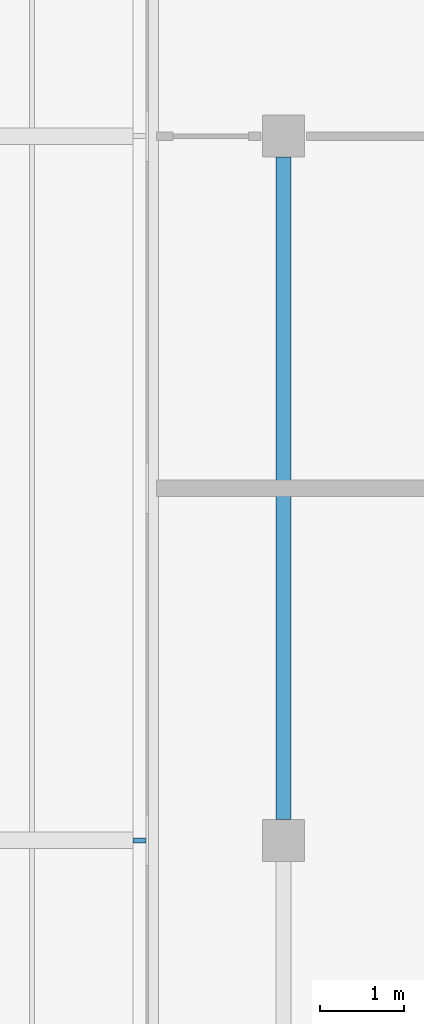
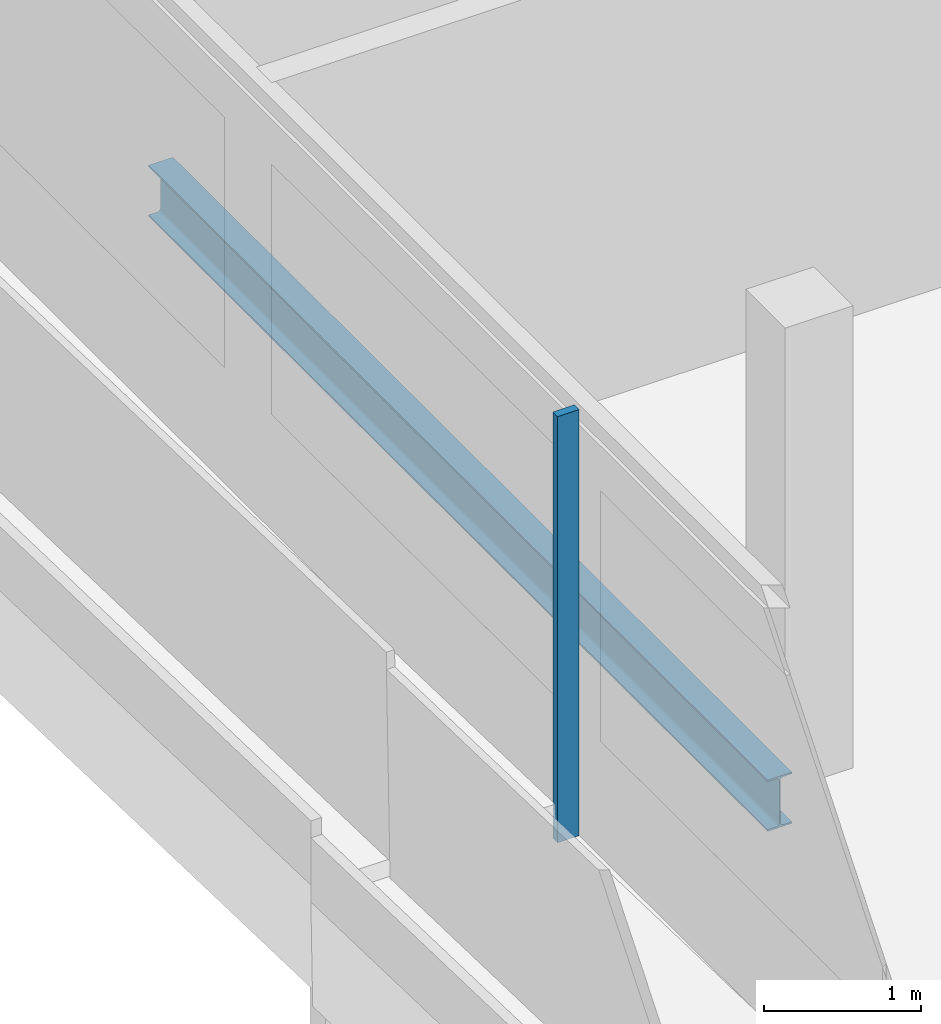
# One storey, part 4 of 27: 1 beam, 1 member, 1 element without a shape of its own.
"""IFC4 building model written with IfcOpenShell, lengths in metres."""

import ifcopenshell
import ifcopenshell.guid

model = None  # the IFC model being written
_history = None  # IfcOwnerHistory: only IFC2X3 demands one
_inside = {}  # id of a spatial element -> (the spatial element, [elements in it])
_under = {}  # id of a project, library or spatial element -> (it, [spatial elements below it])
_declared = {}  # id of a project -> (the project, [libraries it declares])
_typed = {}  # id of a type object -> (the type object, [elements of that type])
_made_of = {}  # id of a material, layer set ... -> (it, [elements and type objects made of it])


def new_model(schema):
    """Start an empty IFC model of exactly this schema.

    Asked for "IFC4X3", IfcOpenShell would pick the latest addendum, in which some entities
    have other attributes; the version numbers below select the first issue.
    IFC2X3 requires an IfcOwnerHistory on every rooted entity: one is made here for all.
    """
    global model, _history
    if schema == "IFC4X3":
        model = ifcopenshell.file(schema_version=(4, 3, 0, 0))
    else:
        model = ifcopenshell.file(schema=schema)
    _inside.clear()
    _under.clear()
    _declared.clear()
    _typed.clear()
    _made_of.clear()
    _history = None
    if model.schema == "IFC2X3":
        org = make("IfcOrganization", Name="unknown")
        user = make(
            "IfcPersonAndOrganization",
            ThePerson=make("IfcPerson", FamilyName="unknown"),
            TheOrganization=org,
        )
        app = make(
            "IfcApplication",
            ApplicationDeveloper=org,
            Version="unknown",
            ApplicationFullName="unknown",
            ApplicationIdentifier="unknown",
        )
        _history = make(
            "IfcOwnerHistory",
            OwningUser=user,
            OwningApplication=app,
            ChangeAction="ADDED",
            CreationDate=0,
        )
    return model


def make(cls, **values):
    """One entity of the class cls with the attributes given. An attribute that is None is left unset."""
    return model.create_entity(
        cls, **{name: value for name, value in values.items() if value is not None}
    )


def rooted(cls, **values):
    """An entity with a GlobalId (a new one), such as an element, a storey or a relation."""
    return make(cls, GlobalId=ifcopenshell.guid.new(), OwnerHistory=_history, **values)


def si_unit(unit_type, name, prefix=None):
    """IfcSIUnit, for example si_unit("LENGTHUNIT", "METRE", prefix="MILLI")."""
    return make("IfcSIUnit", UnitType=unit_type, Prefix=prefix, Name=name)


def assignment(units):
    """IfcUnitAssignment: the units of a project."""
    return None if units is None else make("IfcUnitAssignment", Units=units)


def point(xyz):
    """IfcCartesianPoint."""
    return None if xyz is None else make("IfcCartesianPoint", Coordinates=xyz)


def direction(xyz):
    """IfcDirection."""
    return None if xyz is None else make("IfcDirection", DirectionRatios=xyz)


def frame(location, z_axis=None, x_axis=None):
    """IfcAxis2Placement3D, a coordinate frame: its origin and axes. An axis left out is left unset."""
    return make(
        "IfcAxis2Placement3D",
        Location=point(location),
        Axis=direction(z_axis),
        RefDirection=direction(x_axis),
    )


def frame_2d(location, x_axis=None):
    """IfcAxis2Placement2D, a coordinate frame in the plane: its origin and x axis."""
    return make(
        "IfcAxis2Placement2D", Location=point(location), RefDirection=direction(x_axis)
    )


def origin():
    """The frame at (0, 0, 0) with its axes left unset."""
    return frame((0.0, 0.0, 0.0))


def origin_2d():
    """The frame at (0, 0) in the plane with its x axis left unset."""
    return frame_2d((0.0, 0.0))


def place(relative_to, where):
    """IfcLocalPlacement: puts the frame where relative to a parent placement (None: the world)."""
    return make(
        "IfcLocalPlacement", PlacementRelTo=relative_to, RelativePlacement=where
    )


def context(
    kind, dimensions, precision=None, world=None, true_north=None, identifier=None
):
    """IfcGeometricRepresentationContext, for example the 3D "Model" context."""
    return make(
        "IfcGeometricRepresentationContext",
        ContextIdentifier=identifier,
        ContextType=kind,
        CoordinateSpaceDimension=dimensions,
        Precision=precision,
        WorldCoordinateSystem=world,
        TrueNorth=true_north,
    )


def subcontext(parent, identifier, kind, view, scale=None):
    """IfcGeometricRepresentationSubContext, for example "Body" below "Model"."""
    return make(
        "IfcGeometricRepresentationSubContext",
        ContextIdentifier=identifier,
        ContextType=kind,
        ParentContext=parent,
        TargetScale=scale,
        TargetView=view,
    )


def project(units=None, contexts=None):
    """IfcProject with its units and contexts."""
    return rooted(
        "IfcProject",
        Name="project",
        RepresentationContexts=contexts,
        UnitsInContext=assignment(units),
    )


def spatial(cls, under=None, at=None, **own):
    """A site, building, storey or space (cls), placed at a placement, below another one or the project."""
    s = rooted(cls, ObjectPlacement=at, **own)
    if under is not None:
        _under.setdefault(under.id(), (under, []))[1].append(s)
    return s


def profile(cls, at=None, kind="AREA", **sizes):
    """A parametric profile (cls). Its sizes go by their IFC names, for example OverallWidth=200.0."""
    return make(cls, ProfileType=kind, Position=at, **sizes)


def rectangle(**sizes):
    """IfcRectangleProfileDef."""
    return profile("IfcRectangleProfileDef", **sizes)


def i_section(**sizes):
    """IfcIShapeProfileDef."""
    return profile("IfcIShapeProfileDef", **sizes)


def extrude(swept, where, along, depth):
    """IfcExtrudedAreaSolid: the profile swept, set in the frame where, extruded along a direction by depth."""
    return make(
        "IfcExtrudedAreaSolid",
        SweptArea=swept,
        Position=where,
        ExtrudedDirection=direction(along),
        Depth=depth,
    )


def shape(context_of_items, identifier, shape_type, items):
    """IfcShapeRepresentation: the items that make up one representation, for example the "Body"."""
    return make(
        "IfcShapeRepresentation",
        ContextOfItems=context_of_items,
        RepresentationIdentifier=identifier,
        RepresentationType=shape_type,
        Items=items,
    )


def material(Name=None, Category=None):
    """IfcMaterial."""
    return make("IfcMaterial", Name=Name, Category=Category)


def material_profile(
    of_material, cross_section, Name=None, Category=None, Priority=None
):
    """IfcMaterialProfile: a cross section and its material."""
    return make(
        "IfcMaterialProfile",
        Name=Name,
        Material=of_material,
        Profile=cross_section,
        Priority=Priority,
        Category=Category,
    )


def profile_set(profiles, Name=None, composite=None):
    """IfcMaterialProfileSet."""
    return make(
        "IfcMaterialProfileSet",
        Name=Name,
        MaterialProfiles=profiles,
        CompositeProfile=composite,
    )


def made_of(thing, what):
    """Note that an element or type object is made of a material, layer set ...; save() writes the relation."""
    if what is not None:
        _made_of.setdefault(what.id(), (what, []))[1].append(thing)
    return thing


def type_object(cls, material=None, **own):
    """A type object (cls), such as IfcWallType, which elements share."""
    return made_of(rooted(cls, **own), material)


def element(
    cls,
    number,
    at=None,
    inside=None,
    cuts=None,
    type_object=None,
    material=None,
    context=None,
    identifier="Body",
    shape_type=None,
    held_by="IfcProductDefinitionShape",
    body=None,
    shapes=None,
    **own,
):
    """One element of the class cls, such as IfcWall. Its Tag is "e" and its number.

    at: its placement. inside: the storey or other place that contains it. cuts: it is an
    opening in that element (IfcRelVoidsElement). A single representation is given by context,
    identifier, shape_type and body (its items); several are given by shapes. held_by: the class
    of the entity that holds the representations. save() writes the other relations.
    """
    e = rooted(cls, Tag="e%d" % number, ObjectPlacement=at, **own)
    if body is not None:
        shapes = [shape(context, identifier, shape_type, body)]
    if shapes is not None:
        e.Representation = make(held_by, Representations=shapes)
    if inside is not None:
        _inside.setdefault(inside.id(), (inside, []))[1].append(e)
    if cuts is not None:
        rooted(
            "IfcRelVoidsElement", RelatingBuildingElement=cuts, RelatedOpeningElement=e
        )
    if type_object is not None:
        _typed.setdefault(type_object.id(), (type_object, []))[1].append(e)
    return made_of(e, material)


def aggregate(whole, parts):
    """IfcRelAggregates: a whole, such as a stair, and the parts it consists of."""
    return rooted("IfcRelAggregates", RelatingObject=whole, RelatedObjects=parts)


def save(model, path):
    """Write the relations noted so far, then the file.

    IfcRelAggregates (storeys below a building ...), IfcRelContainedInSpatialStructure (elements
    in a storey), IfcRelDefinesByType, IfcRelAssociatesMaterial and IfcRelDeclares: one each for
    every whole, place, type object, material and project.
    """
    for whole, parts in _under.values():
        aggregate(whole, parts)
    for where, things in _inside.values():
        rooted(
            "IfcRelContainedInSpatialStructure",
            RelatedElements=things,
            RelatingStructure=where,
        )
    for kind, things in _typed.values():
        rooted("IfcRelDefinesByType", RelatedObjects=things, RelatingType=kind)
    for what, things in _made_of.values():
        rooted("IfcRelAssociatesMaterial", RelatedObjects=things, RelatingMaterial=what)
    for by, libraries in _declared.values():
        rooted("IfcRelDeclares", RelatingContext=by, RelatedDefinitions=libraries)
    model.write(path)


model = new_model("IFC4")

# Units and contexts
model_context = context("Model", 3, precision=1e-05, world=origin(), true_north=direction((0.0, 1.0)))
body_context = subcontext(model_context, "Body", "Model", "MODEL_VIEW")
ifc_project = project(units=[si_unit("LENGTHUNIT", "METRE"), si_unit("AREAUNIT", "SQUARE_METRE"), si_unit("VOLUMEUNIT", "CUBIC_METRE"), si_unit("PLANEANGLEUNIT", "RADIAN"), si_unit("MASSUNIT", "GRAM", prefix="KILO")], contexts=[model_context])

# Site, building, storey
site_placement = place(None, origin())
site = spatial("IfcSite", under=ifc_project, at=site_placement, CompositionType="ELEMENT")
building_placement = place(site_placement, origin())
building = spatial("IfcBuilding", under=site, at=building_placement, Name="Saffron Gate Tower", CompositionType="ELEMENT")
storey_placement = place(building_placement, frame((0.0, 0.0, 267.14990234375)))
storey = spatial("IfcBuildingStorey", under=building, at=storey_placement, Name="L64", CompositionType="ELEMENT", Elevation=267.14990234375)

# Beam
ifc_material_1 = material(Name="Structural steel S355", Category="steel")
ifc_material_profile_1 = material_profile(ifc_material_1, i_section(OverallWidth=0.179931640625, OverallDepth=0.39990234375, WebThickness=0.008544921875, FlangeThickness=0.013427734375, FilletRadius=0.02099609375, at=origin_2d()))
ifc_profile_set_1 = profile_set([ifc_material_profile_1], Name="Structural steel S355")
beam_type = type_object("IfcBeamType", Name="B5 IPE 400", PredefinedType="SPANDREL", material=ifc_profile_set_1)
beam_placement = place(storey_placement, frame((49.800048828125, 57.25, -0.47998046875), z_axis=(0.0, 1.0, 0.0), x_axis=(-1.0, 0.0, 0.0)))
element("IfcBeam", 1, at=beam_placement, inside=storey, type_object=beam_type, Name="B5 SPANDREL BEAM", PredefinedType="SPANDREL", context=body_context, shape_type="SweptSolid", body=[
    extrude(i_section(OverallWidth=0.179931640625, OverallDepth=0.39990234375, WebThickness=0.008544921875, FlangeThickness=0.013427734375, FilletRadius=0.02099609375, at=origin_2d()), origin(), (0.0, 0.0, 1.0), 7.89990234375),
])

# Curtain wall, member
ifc_material_2 = material(Name="Aluminium, bronze anodised", Category="aluminium")
curtain_wall_type = type_object("IfcCurtainWallType", Name="CWS2 curtain wall side facades", PredefinedType="NOTDEFINED", material=ifc_material_2)
curtain_wall_placement = place(storey_placement, origin())
curtain_wall = element("IfcCurtainWall", 2, at=curtain_wall_placement, inside=storey, type_object=curtain_wall_type, Name="CWS2 run 10", PredefinedType="NOTDEFINED")
ifc_material_profile_2 = material_profile(ifc_material_2, rectangle(XDim=0.159912109375, YDim=0.06005859375, at=origin_2d()))
ifc_profile_set_2 = profile_set([ifc_material_profile_2], Name="Aluminium, bronze anodised")
member_type = type_object("IfcMemberType", Name="CWS2 mullion 60x160", PredefinedType="MULLION", material=ifc_profile_set_2)
member_placement = place(storey_placement, frame((48.080078125, 57.0, 0.0), z_axis=(0.0, 0.0, 1.0), x_axis=(1.0, 0.0, 0.0)))
member = element("IfcMember", 3, at=member_placement, type_object=member_type, Name="CWS2 mullion 3", PredefinedType="MULLION", context=body_context, shape_type="SweptSolid", body=[
    extrude(rectangle(XDim=0.159912109375, YDim=0.06005859375, at=origin_2d()), origin(), (0.0, 0.0, 1.0), 3.320068359375),
])
aggregate(curtain_wall, [member])

save(model, "model.ifc")
